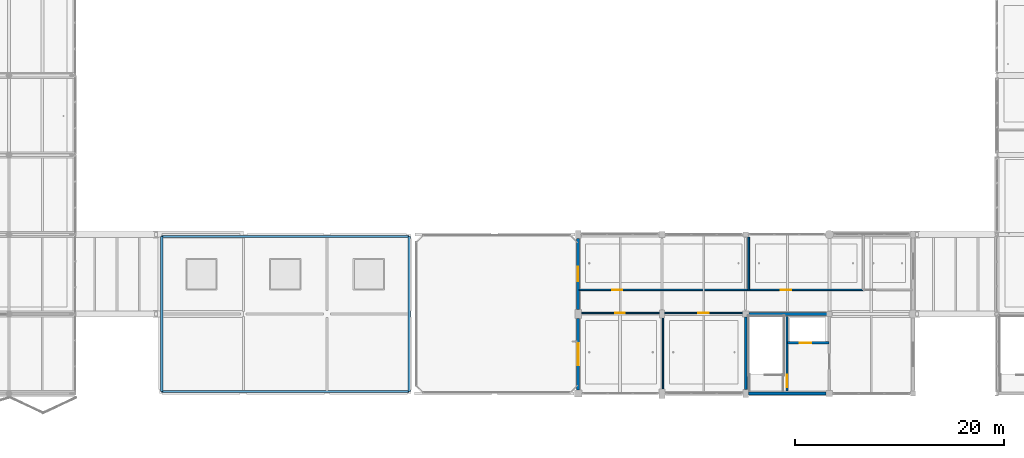
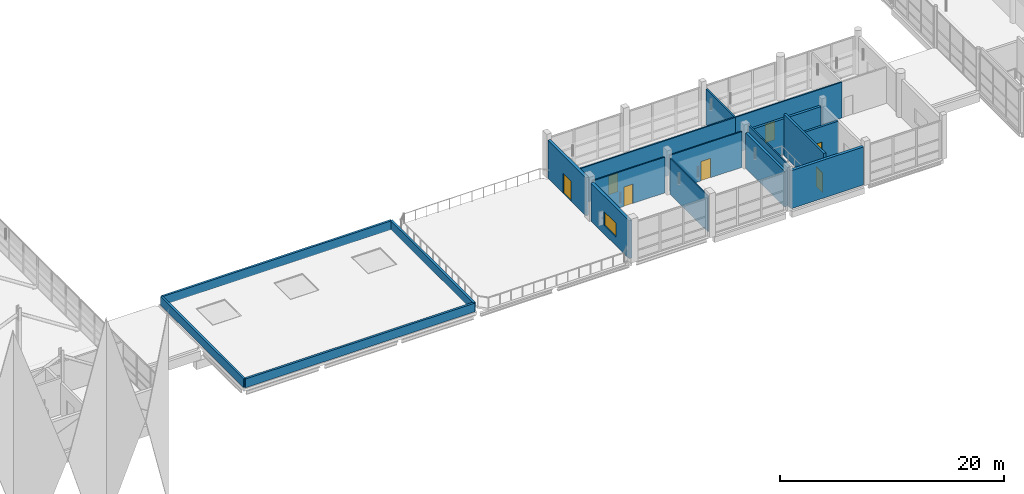
# One storey, part 71 of 107: 18 walls, 7 doors, 1 window, 8 openings.
"""IFC4 building model written with IfcOpenShell, lengths in metres."""

from ifc_helpers import new_model, si_unit, direction, frame, frame_2d, origin, place, context, subcontext, project, spatial, rectangle, extrude, material, layer, layer_set, type_object, element, fill, save


model = new_model("IFC4")

# Units and contexts
model_context = context("Model", 3, precision=1e-05, world=origin(), true_north=direction((0.0, 1.0)))
body_context = subcontext(model_context, "Body", "Model", "MODEL_VIEW")
ifc_project = project(units=[si_unit("LENGTHUNIT", "METRE"), si_unit("AREAUNIT", "SQUARE_METRE"), si_unit("VOLUMEUNIT", "CUBIC_METRE"), si_unit("PLANEANGLEUNIT", "RADIAN"), si_unit("MASSUNIT", "GRAM", prefix="KILO")], contexts=[model_context])

# Site, building, storey
site_placement = place(None, origin())
site = spatial("IfcSite", under=ifc_project, at=site_placement, CompositionType="ELEMENT")
building_placement = place(site_placement, origin())
building = spatial("IfcBuilding", under=site, at=building_placement, Name="Khelvaren Railside Concert Hall", CompositionType="ELEMENT")
storey_placement = place(building_placement, frame((0.0, 0.0, 15.0)))
storey = spatial("IfcBuildingStorey", under=building, at=storey_placement, Name="L03", CompositionType="ELEMENT", Elevation=15.0)

# Walls
ifc_material_1 = material(Name="Concrete C40/50", Category="concrete")
ifc_layer_1 = layer(ifc_material_1, 0.139892578125)
ifc_layer_set_1 = layer_set([ifc_layer_1], Name="Concrete C40/50")
wall_type_1 = type_object("IfcWallType", Name="CW17", PredefinedType="SOLIDWALL", material=ifc_layer_set_1)
wall_1_placement = place(storey_placement, frame((120.27490234375, 0.14990234375, 0.0), z_axis=(0.0, 0.0, 1.0), x_axis=(0.0, 1.0, 0.0)))
element("IfcWall", 1, at=wall_1_placement, inside=storey, type_object=wall_type_1, Name="Core Shaft Structural Liner Wall ST-06-L03", PredefinedType="SOLIDWALL", context=body_context, shape_type="SweptSolid", body=[
    extrude(rectangle(XDim=7.300048828125, YDim=0.139892578125, at=frame_2d((3.64990234375, 0.0))), origin(), (0.0, 0.0, 1.0), 4.530029296875),
])
ifc_layer_2 = layer(ifc_material_1, 0.25)
ifc_layer_set_2 = layer_set([ifc_layer_2], Name="Concrete C40/50")
wall_type_2 = type_object("IfcWallType", Name="CW82", PredefinedType="SOLIDWALL", material=ifc_layer_set_2)
wall_2_placement = place(storey_placement, frame((120.0, 0.375, 0.0), z_axis=(0.0, 0.0, 1.0), x_axis=(0.0, 1.0, 0.0)))
element("IfcWall", 2, at=wall_2_placement, inside=storey, type_object=wall_type_2, Name="Core Enclosure Wall CWALL-ST-06-L03-W", PredefinedType="SOLIDWALL", context=body_context, shape_type="SweptSolid", body=[
    extrude(rectangle(XDim=6.925048828125, YDim=0.25, at=frame_2d((3.46240234375, 0.0))), origin(), (0.0, 0.0, 1.0), 3.89990234375),
])
wall_3_placement = place(storey_placement, frame((120.300048828125, 7.60009765625, 0.0), z_axis=(0.0, 0.0, 1.0), x_axis=(1.0, 0.0, 0.0)))
element("IfcWall", 3, at=wall_3_placement, inside=storey, type_object=wall_type_2, Name="Core Enclosure Wall CWALL-ST-06-L03-N", PredefinedType="SOLIDWALL", context=body_context, shape_type="SweptSolid", body=[
    extrude(rectangle(XDim=7.449951171875, YDim=0.25, at=frame_2d((3.72509765625, 0.0))), origin(), (0.0, 0.0, 1.0), 3.89990234375),
])

# Wall, opening, door
ifc_layer_3 = layer(ifc_material_1, 0.219970703125)
ifc_layer_set_3 = layer_set([ifc_layer_3], Name="Concrete C40/50")
wall_type_3 = type_object("IfcWallType", Name="CW97", PredefinedType="SOLIDWALL", material=ifc_layer_set_3)
wall_4_placement = place(storey_placement, frame((123.949951171875, 0.25, 0.0), z_axis=(0.0, 0.0, 1.0), x_axis=(0.0, 1.0, 0.0)))
wall_4 = element("IfcWall", 4, at=wall_4_placement, inside=storey, type_object=wall_type_3, Name="Core Enclosure Wall CWALL-ST-06-L03-MID", PredefinedType="SOLIDWALL", context=body_context, shape_type="SweptSolid", body=[
    extrude(rectangle(XDim=7.10009765625, YDim=0.219970703125, at=frame_2d((3.550048828125, 0.0))), origin(), (0.0, 0.0, 1.0), 4.530029296875),
])
opening_1_placement = place(wall_4_placement, frame((0.35009765625, 0.0, 0.0)))
opening_1 = element("IfcOpeningElement", 5, at=opening_1_placement, cuts=wall_4, Name="Opening FDR17", PredefinedType="OPENING", context=body_context, shape_type="SweptSolid", body=[
    extrude(rectangle(XDim=1.199951171875, YDim=2.14990234375, at=frame_2d((0.60009765625, 1.074951171875))), frame((0.0, 0.119873046875, 0.0), z_axis=(0.0, -1.0, 0.0), x_axis=(1.0, 0.0, 0.0)), (0.0, 0.0, 1.0), 0.239990234375),
])
ifc_material_2 = material(Name="Acoustic fire-rated timber-core steel frame door", Category="steel")
door_type_1 = type_object("IfcDoorType", Name="FDR17", OperationType="NOTDEFINED", PredefinedType="DOOR", material=ifc_material_2)
door_1_placement = place(opening_1_placement, origin())
door_1 = element("IfcDoor", 6, at=door_1_placement, inside=storey, type_object=door_type_1, Name="Interior Door DR-ST-06-L03-ST", OperationType="SINGLE_SWING_RIGHT", OverallHeight=2.14990234375, OverallWidth=1.199951171875, PredefinedType="DOOR", context=body_context, shape_type="SweptSolid", body=[
    extrude(rectangle(XDim=1.199951171875, YDim=2.14990234375, at=frame_2d((0.60009765625, 1.074951171875))), frame((0.0, 0.02490234375, 0.0), z_axis=(0.0, -1.0, 0.0), x_axis=(1.0, 0.0, 0.0)), (0.0, 0.0, 1.0), 0.050048828125),
])
fill(opening_1, door_1)

wall_5_placement = place(storey_placement, frame((124.02001953125, 4.85009765625, 0.0), z_axis=(0.0, 0.0, 1.0), x_axis=(1.0, 0.0, 0.0)))
wall_5 = element("IfcWall", 7, at=wall_5_placement, inside=storey, type_object=wall_type_3, Name="Core Enclosure Wall CWALL-ST-06-L03-SHF", PredefinedType="SOLIDWALL", context=body_context, shape_type="SweptSolid", body=[
    extrude(rectangle(XDim=3.929931640625, YDim=0.219970703125, at=frame_2d((1.96484375, 0.0))), origin(), (0.0, 0.0, 1.0), 3.89990234375),
])
opening_2_placement = place(wall_5_placement, frame((1.14990234375, 0.0, 0.0)))
opening_2 = element("IfcOpeningElement", 8, at=opening_2_placement, cuts=wall_5, Name="Opening LD-PL-04", PredefinedType="OPENING", context=body_context, shape_type="SweptSolid", body=[
    extrude(rectangle(XDim=1.10009765625, YDim=2.199951171875, at=frame_2d((0.550048828125, 1.10009765625))), frame((0.0, 0.119873046875, 0.0), z_axis=(0.0, -1.0, 0.0), x_axis=(1.0, 0.0, 0.0)), (0.0, 0.0, 1.0), 0.239990234375),
])
ifc_material_3 = material(Name="Fire-rated brushed stainless steel landing door", Category="steel")
door_type_2 = type_object("IfcDoorType", Name="LD96", OperationType="DOUBLE_DOOR_SLIDING", PredefinedType="DOOR", material=ifc_material_3)
door_2_placement = place(opening_2_placement, origin())
door_2 = element("IfcDoor", 9, at=door_2_placement, inside=storey, type_object=door_type_2, Name="Lift Landing Door LD-PL-04-L03", OperationType="DOUBLE_DOOR_SLIDING", OverallHeight=2.199951171875, OverallWidth=1.10009765625, PredefinedType="DOOR", context=body_context, shape_type="SweptSolid", body=[
    extrude(rectangle(XDim=1.10009765625, YDim=2.199951171875, at=frame_2d((0.550048828125, 1.10009765625))), frame((0.0, 0.02490234375, 0.0), z_axis=(0.0, -1.0, 0.0), x_axis=(1.0, 0.0, 0.0)), (0.0, 0.0, 1.0), 0.050048828125),
])
fill(opening_2, door_2)

# Wall
ifc_material_4 = material(Name="Board-marked architectural concrete C40/50", Category="concrete")
ifc_layer_4 = layer(ifc_material_4, 0.2900390625)
ifc_layer_set_4 = layer_set([ifc_layer_4], Name="Board-marked architectural concrete C40/50")
wall_type_4 = type_object("IfcWallType", Name="EW77", PredefinedType="SOLIDWALL", material=ifc_layer_set_4)
wall_6_placement = place(storey_placement, frame((127.699951171875, 0.0, 0.0), z_axis=(0.0, 0.0, 1.0), x_axis=(-1.0, 0.0, 0.0)))
element("IfcWall", 10, at=wall_6_placement, inside=storey, type_object=wall_type_4, Name="V3 L03 Exterior Concrete Wall S-120", PredefinedType="SOLIDWALL", context=body_context, shape_type="SweptSolid", body=[
    extrude(rectangle(XDim=7.449951171875, YDim=0.2900390625, at=frame_2d((3.72509765625, 0.0))), origin(), (0.0, 0.0, 1.0), 4.139892578125),
])

# Wall, opening, window
wall_7_placement = place(storey_placement, frame((104.0, 0.35009765625, 0.0), z_axis=(0.0, 0.0, 1.0), x_axis=(0.0, 1.0, 0.0)))
wall_7 = element("IfcWall", 11, at=wall_7_placement, inside=storey, type_object=wall_type_4, Name="V3 L03 Exterior Concrete Wall W-0", PredefinedType="SOLIDWALL", context=body_context, shape_type="SweptSolid", body=[
    extrude(rectangle(XDim=6.7998046875, YDim=0.2900390625, at=frame_2d((3.39990234375, 0.0))), origin(), (0.0, 0.0, 1.0), 4.139892578125),
])
opening_3_placement = place(wall_7_placement, frame((2.35009765625, 0.0, 0.949951171875)))
opening_3 = element("IfcOpeningElement", 12, at=opening_3_placement, cuts=wall_7, Name="Opening WN75", PredefinedType="OPENING", context=body_context, shape_type="SweptSolid", body=[
    extrude(rectangle(XDim=2.10009765625, YDim=1.5, at=frame_2d((1.050048828125, 0.75))), frame((0.0, 0.155029296875, 0.0), z_axis=(0.0, -1.0, 0.0), x_axis=(1.0, 0.0, 0.0)), (0.0, 0.0, 1.0), 0.31005859375),
])
ifc_material_5 = material(Name="Triple-glazed acoustic aluminium window", Category="aluminium")
window_type = type_object("IfcWindowType", Name="WN75", PartitioningType="DOUBLE_PANEL_VERTICAL", PredefinedType="WINDOW", material=ifc_material_5)
window_placement = place(opening_3_placement, origin())
window = element("IfcWindow", 13, at=window_placement, inside=storey, type_object=window_type, Name="Acoustic Facade Window EW-V3-L03-W-0", OverallHeight=1.5, OverallWidth=2.10009765625, PartitioningType="DOUBLE_PANEL_VERTICAL", PredefinedType="WINDOW", context=body_context, shape_type="SweptSolid", body=[
    extrude(rectangle(XDim=2.10009765625, YDim=1.5, at=frame_2d((1.050048828125, 0.75))), frame((0.0, 0.030029296875, 0.0), z_axis=(0.0, -1.0, 0.0), x_axis=(1.0, 0.0, 0.0)), (0.0, 0.0, 1.0), 0.06005859375),
])
fill(opening_3, window)

# Wall, opening, door
wall_8_placement = place(storey_placement, frame((104.0, 8.050048828125, 0.0), z_axis=(0.0, 0.0, 1.0), x_axis=(0.0, 1.0, 0.0)))
wall_8 = element("IfcWall", 14, at=wall_8_placement, inside=storey, type_object=wall_type_4, Name="V3 L03 Exterior Concrete Wall W-8", PredefinedType="SOLIDWALL", context=body_context, shape_type="SweptSolid", body=[
    extrude(rectangle(XDim=6.77490234375, YDim=0.2900390625, at=frame_2d((3.387451171875, 0.0))), origin(), (0.0, 0.0, 1.0), 4.139892578125),
])
opening_4_placement = place(wall_8_placement, frame((2.6875, 0.0, 0.0)))
opening_4 = element("IfcOpeningElement", 15, at=opening_4_placement, cuts=wall_8, Name="Opening TDR61", PredefinedType="OPENING", context=body_context, shape_type="SweptSolid", body=[
    extrude(rectangle(XDim=1.39990234375, YDim=2.199951171875, at=frame_2d((0.699951171875, 1.10009765625))), frame((0.0, 0.155029296875, 0.0), z_axis=(0.0, -1.0, 0.0), x_axis=(1.0, 0.0, 0.0)), (0.0, 0.0, 1.0), 0.31005859375),
])
ifc_material_6 = material(Name="Glazed thermally broken terrace door", Category="aluminium")
door_type_3 = type_object("IfcDoorType", Name="TDR61", OperationType="NOTDEFINED", PredefinedType="DOOR", material=ifc_material_6)
door_3_placement = place(opening_4_placement, origin())
door_3 = element("IfcDoor", 16, at=door_3_placement, inside=storey, type_object=door_type_3, Name="V3 L03 Outdoor Terrace Access Door", OperationType="SINGLE_SWING_LEFT", OverallHeight=2.199951171875, OverallWidth=1.39990234375, PredefinedType="DOOR", context=body_context, shape_type="SweptSolid", body=[
    extrude(rectangle(XDim=1.39990234375, YDim=2.199951171875, at=frame_2d((0.699951171875, 1.10009765625))), frame((0.0, 0.02490234375, 0.0), z_axis=(0.0, -1.0, 0.0), x_axis=(1.0, 0.0, 0.0)), (0.0, 0.0, 1.0), 0.050048828125),
])
fill(opening_4, door_3)

# Walls
ifc_material_7 = material(Name="Precast architectural concrete C40/50", Category="concrete")
ifc_layer_5 = layer(ifc_material_7, 0.219970703125)
ifc_layer_set_5 = layer_set([ifc_layer_5], Name="Precast architectural concrete C40/50")
wall_type_5 = type_object("IfcWallType", Name="PRP69", PredefinedType="PARAPET", material=ifc_layer_set_5)
for number, where, z_axis, x_axis, name in (
    (17, (64.199951171875, 0.199951171875, 0.0), (0.0, 0.0, 1.0), (1.0, 0.0, 0.0), "Roof Parapet Wall V3-W-L03-S"),
    (18, (87.85009765625, 15.0, 0.0), (0.0, 0.0, 1.0), (-1.0, 0.0, 0.0), "Roof Parapet Wall V3-W-L03-N"),
):
    element("IfcWall", number, at=place(storey_placement, frame(where, z_axis=z_axis, x_axis=x_axis)), inside=storey, type_object=wall_type_5, Name=name, PredefinedType="PARAPET", context=body_context, shape_type="SweptSolid", body=[
        extrude(rectangle(XDim=23.650146484375, YDim=0.219970703125, at=frame_2d((11.8251953125, 0.0))), origin(), (0.0, 0.0, 1.0), 0.949951171875),
    ])
for number, where, z_axis, x_axis, name in (
    (19, (64.199951171875, 15.0, 0.0), (0.0, 0.0, 1.0), (0.0, -1.0, 0.0), "Roof Parapet Wall V3-W-L03-W"),
    (20, (87.85009765625, 0.199951171875, 0.0), (0.0, 0.0, 1.0), (0.0, 1.0, 0.0), "Roof Parapet Wall V3-W-L03-E"),
):
    element("IfcWall", number, at=place(storey_placement, frame(where, z_axis=z_axis, x_axis=x_axis)), inside=storey, type_object=wall_type_5, Name=name, PredefinedType="PARAPET", context=body_context, shape_type="SweptSolid", body=[
        extrude(rectangle(XDim=14.800048828125, YDim=0.219970703125, at=frame_2d((7.39990234375, 0.0))), origin(), (0.0, 0.0, 1.0), 0.949951171875),
    ])

# Wall, opening, door
ifc_material_8 = material(Name="Acoustic double-stud gypsum partition", Category="gypsum")
ifc_layer_6 = layer(ifc_material_8, 0.139892578125)
ifc_layer_set_6 = layer_set([ifc_layer_6], Name="Acoustic double-stud gypsum partition")
wall_type_6 = type_object("IfcWallType", Name="PT55", PredefinedType="PARTITIONING", material=ifc_layer_set_6)
wall_9_placement = place(storey_placement, frame((104.080078125, 9.89990234375, 0.0), z_axis=(0.0, 0.0, 1.0), x_axis=(1.0, 0.0, 0.0)))
wall_9 = element("IfcWall", 21, at=wall_9_placement, inside=storey, type_object=wall_type_6, Name="Acoustic Partition Wall PW-V3-L03-N-C01", PredefinedType="PARTITIONING", context=body_context, shape_type="SweptSolid", body=[
    extrude(rectangle(XDim=16.223876953125, YDim=0.139892578125, at=frame_2d((8.11181640625, 0.0))), origin(), (0.0, 0.0, 1.0), 3.89990234375),
])
opening_5_placement = place(wall_9_placement, frame((3.1767578125, 0.0, 0.0)))
opening_5 = element("IfcOpeningElement", 22, at=opening_5_placement, cuts=wall_9, Name="Opening IDR92", PredefinedType="OPENING", context=body_context, shape_type="SweptSolid", body=[
    extrude(rectangle(XDim=0.93994140625, YDim=2.050048828125, at=frame_2d((0.469970703125, 1.02490234375))), frame((0.0, 0.079833984375, 0.0), z_axis=(0.0, -1.0, 0.0), x_axis=(1.0, 0.0, 0.0)), (0.0, 0.0, 1.0), 0.159912109375),
])
ifc_material_9 = material(Name="Solid oak acoustic studio door", Category="wood")
door_type_4 = type_object("IfcDoorType", Name="IDR92", OperationType="NOTDEFINED", PredefinedType="DOOR", material=ifc_material_9)
door_4_placement = place(opening_5_placement, origin())
door_4 = element("IfcDoor", 23, at=door_4_placement, inside=storey, type_object=door_type_4, Name="Interior Door DR-V3-L03-N-01", OperationType="SINGLE_SWING_LEFT", OverallHeight=2.050048828125, OverallWidth=0.93994140625, PredefinedType="DOOR", context=body_context, shape_type="SweptSolid", body=[
    extrude(rectangle(XDim=0.93994140625, YDim=2.050048828125, at=frame_2d((0.469970703125, 1.02490234375))), frame((0.0, 0.02490234375, 0.0), z_axis=(0.0, -1.0, 0.0), x_axis=(1.0, 0.0, 0.0)), (0.0, 0.0, 1.0), 0.050048828125),
])
fill(opening_5, door_4)

wall_10_placement = place(storey_placement, frame((120.303955078125, 9.89990234375, 0.0), z_axis=(0.0, 0.0, 1.0), x_axis=(1.0, 0.0, 0.0)))
wall_10 = element("IfcWall", 24, at=wall_10_placement, inside=storey, type_object=wall_type_6, Name="Acoustic Partition Wall PW-V3-L03-N-C02", PredefinedType="PARTITIONING", context=body_context, shape_type="SweptSolid", body=[
    extrude(rectangle(XDim=10.950927734375, YDim=0.139892578125, at=frame_2d((5.4755859375, 0.0))), origin(), (0.0, 0.0, 1.0), 3.89990234375),
])
opening_6_placement = place(wall_10_placement, frame((3.0732421875, 0.0, 0.0)))
opening_6 = element("IfcOpeningElement", 25, at=opening_6_placement, cuts=wall_10, Name="Opening IDR23", PredefinedType="OPENING", context=body_context, shape_type="SweptSolid", body=[
    extrude(rectangle(XDim=0.97998046875, YDim=2.050048828125, at=frame_2d((0.489990234375, 1.02490234375))), frame((0.0, 0.079833984375, 0.0), z_axis=(0.0, -1.0, 0.0), x_axis=(1.0, 0.0, 0.0)), (0.0, 0.0, 1.0), 0.159912109375),
])
door_type_5 = type_object("IfcDoorType", Name="IDR23", OperationType="NOTDEFINED", PredefinedType="DOOR", material=ifc_material_9)
door_5_placement = place(opening_6_placement, origin())
door_5 = element("IfcDoor", 26, at=door_5_placement, inside=storey, type_object=door_type_5, Name="Interior Door DR-V3-L03-N-02", OperationType="SINGLE_SWING_RIGHT", OverallHeight=2.050048828125, OverallWidth=0.97998046875, PredefinedType="DOOR", context=body_context, shape_type="SweptSolid", body=[
    extrude(rectangle(XDim=0.97998046875, YDim=2.050048828125, at=frame_2d((0.489990234375, 1.02490234375))), frame((0.0, 0.02490234375, 0.0), z_axis=(0.0, -1.0, 0.0), x_axis=(1.0, 0.0, 0.0)), (0.0, 0.0, 1.0), 0.050048828125),
])
fill(opening_6, door_5)

ifc_layer_7 = layer(ifc_material_8, 0.1298828125)
ifc_layer_set_7 = layer_set([ifc_layer_7], Name="Acoustic double-stud gypsum partition")
wall_type_7 = type_object("IfcWallType", Name="PT69", PredefinedType="PARTITIONING", material=ifc_layer_set_7)
wall_11_placement = place(storey_placement, frame((104.300048828125, 7.699951171875, 0.0), z_axis=(0.0, 0.0, 1.0), x_axis=(1.0, 0.0, 0.0)))
wall_11 = element("IfcWall", 27, at=wall_11_placement, inside=storey, type_object=wall_type_7, Name="Acoustic Partition Wall PW-V3-L03-S-C01", PredefinedType="PARTITIONING", context=body_context, shape_type="SweptSolid", body=[
    extrude(rectangle(XDim=7.449951171875, YDim=0.1298828125, at=frame_2d((3.72509765625, 0.0))), origin(), (0.0, 0.0, 1.0), 3.89990234375),
])
opening_7_placement = place(wall_11_placement, frame((3.22509765625, 0.0, 0.0)))
opening_7 = element("IfcOpeningElement", 28, at=opening_7_placement, cuts=wall_11, Name="Opening IDR30", PredefinedType="OPENING", context=body_context, shape_type="SweptSolid", body=[
    extrude(rectangle(XDim=0.929931640625, YDim=2.10009765625, at=frame_2d((0.46484375, 1.050048828125))), frame((0.0, 0.074951171875, 0.0), z_axis=(0.0, -1.0, 0.0), x_axis=(1.0, 0.0, 0.0)), (0.0, 0.0, 1.0), 0.14990234375),
])
door_type_6 = type_object("IfcDoorType", Name="IDR30", OperationType="NOTDEFINED", PredefinedType="DOOR", material=ifc_material_9)
door_6_placement = place(opening_7_placement, origin())
door_6 = element("IfcDoor", 29, at=door_6_placement, inside=storey, type_object=door_type_6, Name="Interior Door DR-V3-L03-S-01", OperationType="SINGLE_SWING_RIGHT", OverallHeight=2.10009765625, OverallWidth=0.929931640625, PredefinedType="DOOR", context=body_context, shape_type="SweptSolid", body=[
    extrude(rectangle(XDim=0.929931640625, YDim=2.10009765625, at=frame_2d((0.46484375, 1.050048828125))), frame((0.0, 0.02490234375, 0.0), z_axis=(0.0, -1.0, 0.0), x_axis=(1.0, 0.0, 0.0)), (0.0, 0.0, 1.0), 0.050048828125),
])
fill(opening_7, door_6)

wall_12_placement = place(storey_placement, frame((112.25, 7.699951171875, 0.0), z_axis=(0.0, 0.0, 1.0), x_axis=(1.0, 0.0, 0.0)))
wall_12 = element("IfcWall", 30, at=wall_12_placement, inside=storey, type_object=wall_type_7, Name="Acoustic Partition Wall PW-V3-L03-S-C02", PredefinedType="PARTITIONING", context=body_context, shape_type="SweptSolid", body=[
    extrude(rectangle(XDim=7.449951171875, YDim=0.1298828125, at=frame_2d((3.72509765625, 0.0))), origin(), (0.0, 0.0, 1.0), 3.89990234375),
])
opening_8_placement = place(wall_12_placement, frame((3.22509765625, 0.0, 0.0)))
opening_8 = element("IfcOpeningElement", 31, at=opening_8_placement, cuts=wall_12, Name="Opening IDR79", PredefinedType="OPENING", context=body_context, shape_type="SweptSolid", body=[
    extrude(rectangle(XDim=0.989990234375, YDim=2.10009765625, at=frame_2d((0.4951171875, 1.050048828125))), frame((0.0, 0.074951171875, 0.0), z_axis=(0.0, -1.0, 0.0), x_axis=(1.0, 0.0, 0.0)), (0.0, 0.0, 1.0), 0.14990234375),
])
door_type_7 = type_object("IfcDoorType", Name="IDR79", OperationType="NOTDEFINED", PredefinedType="DOOR", material=ifc_material_9)
door_7_placement = place(opening_8_placement, origin())
door_7 = element("IfcDoor", 32, at=door_7_placement, inside=storey, type_object=door_type_7, Name="Interior Door DR-V3-L03-S-02", OperationType="SINGLE_SWING_LEFT", OverallHeight=2.10009765625, OverallWidth=0.989990234375, PredefinedType="DOOR", context=body_context, shape_type="SweptSolid", body=[
    extrude(rectangle(XDim=0.989990234375, YDim=2.10009765625, at=frame_2d((0.4951171875, 1.050048828125))), frame((0.0, 0.02490234375, 0.0), z_axis=(0.0, -1.0, 0.0), x_axis=(1.0, 0.0, 0.0)), (0.0, 0.0, 1.0), 0.050048828125),
])
fill(opening_8, door_7)

# Walls
ifc_layer_8 = layer(ifc_material_8, 0.110107421875)
ifc_layer_set_8 = layer_set([ifc_layer_8], Name="Acoustic double-stud gypsum partition")
wall_type_8 = type_object("IfcWallType", Name="PT80", PredefinedType="PARTITIONING", material=ifc_layer_set_8)
wall_13_placement = place(storey_placement, frame((112.10009765625, 0.449951171875, 0.0), z_axis=(0.0, 0.0, 1.0), x_axis=(0.0, 1.0, 0.0)))
element("IfcWall", 33, at=wall_13_placement, inside=storey, type_object=wall_type_8, Name="Acoustic Partition Wall PW-V3-L03-S-D01", PredefinedType="PARTITIONING", context=body_context, shape_type="SweptSolid", body=[
    extrude(rectangle(XDim=6.775146484375, YDim=0.110107421875, at=frame_2d((3.3876953125, 0.0))), origin(), (0.0, 0.0, 1.0), 3.89990234375),
])
ifc_layer_9 = layer(ifc_material_8, 0.159912109375)
ifc_layer_set_9 = layer_set([ifc_layer_9], Name="Acoustic double-stud gypsum partition")
wall_type_9 = type_object("IfcWallType", Name="PT97", PredefinedType="PARTITIONING", material=ifc_layer_set_9)
wall_14_placement = place(storey_placement, frame((120.303955078125, 9.89990234375, 0.0), z_axis=(0.0, 0.0, 1.0), x_axis=(0.0, 1.0, 0.0)))
element("IfcWall", 34, at=wall_14_placement, inside=storey, type_object=wall_type_9, Name="Acoustic Partition Wall PW-V3-L03-N-D01", PredefinedType="PARTITIONING", context=body_context, shape_type="SweptSolid", body=[
    extrude(rectangle(XDim=5.050048828125, YDim=0.159912109375, at=frame_2d((2.52490234375, 0.0))), origin(), (0.0, 0.0, 1.0), 3.89990234375),
])

save(model, "model.ifc")
